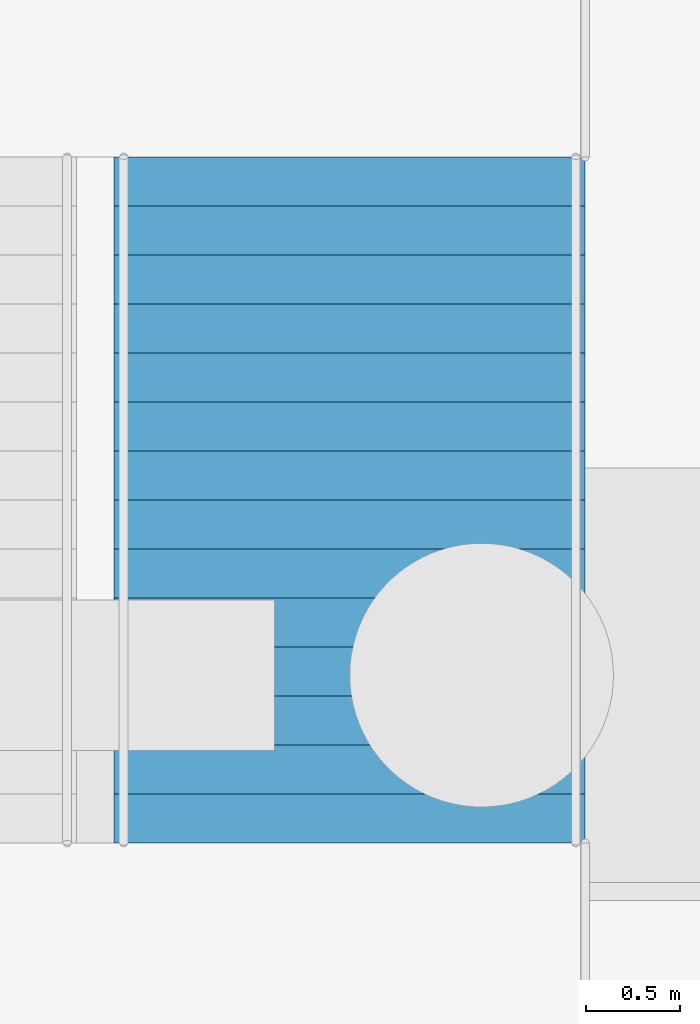
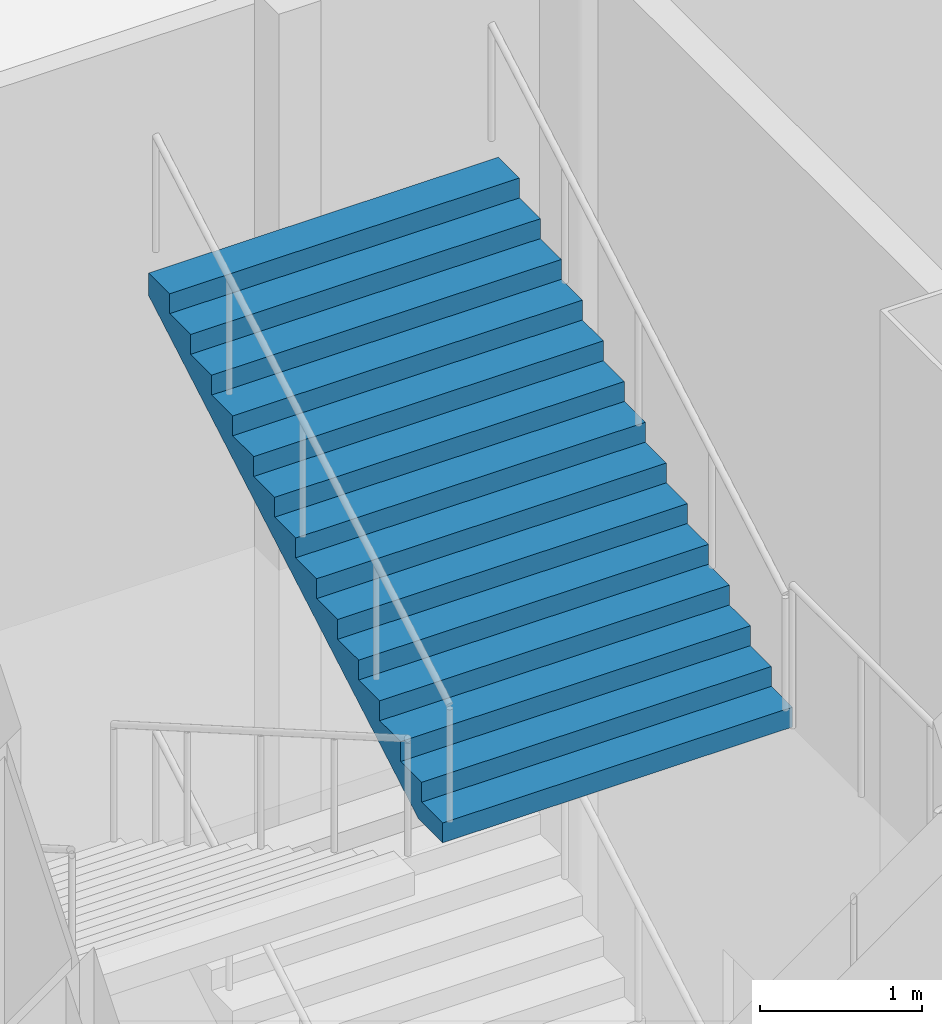
# One storey, part 67 of 113: 1 stair flight, 1 element without a shape of its own.
"""IFC4 building model written with IfcOpenShell, lengths in metres."""

import ifcopenshell
import ifcopenshell.guid

model = None  # the IFC model being written
_history = None  # IfcOwnerHistory: only IFC2X3 demands one
_inside = {}  # id of a spatial element -> (the spatial element, [elements in it])
_under = {}  # id of a project, library or spatial element -> (it, [spatial elements below it])
_declared = {}  # id of a project -> (the project, [libraries it declares])
_typed = {}  # id of a type object -> (the type object, [elements of that type])
_made_of = {}  # id of a material, layer set ... -> (it, [elements and type objects made of it])


def new_model(schema):
    """Start an empty IFC model of exactly this schema.

    Asked for "IFC4X3", IfcOpenShell would pick the latest addendum, in which some entities
    have other attributes; the version numbers below select the first issue.
    IFC2X3 requires an IfcOwnerHistory on every rooted entity: one is made here for all.
    """
    global model, _history
    if schema == "IFC4X3":
        model = ifcopenshell.file(schema_version=(4, 3, 0, 0))
    else:
        model = ifcopenshell.file(schema=schema)
    _inside.clear()
    _under.clear()
    _declared.clear()
    _typed.clear()
    _made_of.clear()
    _history = None
    if model.schema == "IFC2X3":
        org = make("IfcOrganization", Name="unknown")
        user = make(
            "IfcPersonAndOrganization",
            ThePerson=make("IfcPerson", FamilyName="unknown"),
            TheOrganization=org,
        )
        app = make(
            "IfcApplication",
            ApplicationDeveloper=org,
            Version="unknown",
            ApplicationFullName="unknown",
            ApplicationIdentifier="unknown",
        )
        _history = make(
            "IfcOwnerHistory",
            OwningUser=user,
            OwningApplication=app,
            ChangeAction="ADDED",
            CreationDate=0,
        )
    return model


def make(cls, **values):
    """One entity of the class cls with the attributes given. An attribute that is None is left unset."""
    return model.create_entity(
        cls, **{name: value for name, value in values.items() if value is not None}
    )


def rooted(cls, **values):
    """An entity with a GlobalId (a new one), such as an element, a storey or a relation."""
    return make(cls, GlobalId=ifcopenshell.guid.new(), OwnerHistory=_history, **values)


def si_unit(unit_type, name, prefix=None):
    """IfcSIUnit, for example si_unit("LENGTHUNIT", "METRE", prefix="MILLI")."""
    return make("IfcSIUnit", UnitType=unit_type, Prefix=prefix, Name=name)


def assignment(units):
    """IfcUnitAssignment: the units of a project."""
    return None if units is None else make("IfcUnitAssignment", Units=units)


def point(xyz):
    """IfcCartesianPoint."""
    return None if xyz is None else make("IfcCartesianPoint", Coordinates=xyz)


def direction(xyz):
    """IfcDirection."""
    return None if xyz is None else make("IfcDirection", DirectionRatios=xyz)


def frame(location, z_axis=None, x_axis=None):
    """IfcAxis2Placement3D, a coordinate frame: its origin and axes. An axis left out is left unset."""
    return make(
        "IfcAxis2Placement3D",
        Location=point(location),
        Axis=direction(z_axis),
        RefDirection=direction(x_axis),
    )


def origin():
    """The frame at (0, 0, 0) with its axes left unset."""
    return frame((0.0, 0.0, 0.0))


def place(relative_to, where):
    """IfcLocalPlacement: puts the frame where relative to a parent placement (None: the world)."""
    return make(
        "IfcLocalPlacement", PlacementRelTo=relative_to, RelativePlacement=where
    )


def context(
    kind, dimensions, precision=None, world=None, true_north=None, identifier=None
):
    """IfcGeometricRepresentationContext, for example the 3D "Model" context."""
    return make(
        "IfcGeometricRepresentationContext",
        ContextIdentifier=identifier,
        ContextType=kind,
        CoordinateSpaceDimension=dimensions,
        Precision=precision,
        WorldCoordinateSystem=world,
        TrueNorth=true_north,
    )


def subcontext(parent, identifier, kind, view, scale=None):
    """IfcGeometricRepresentationSubContext, for example "Body" below "Model"."""
    return make(
        "IfcGeometricRepresentationSubContext",
        ContextIdentifier=identifier,
        ContextType=kind,
        ParentContext=parent,
        TargetScale=scale,
        TargetView=view,
    )


def project(units=None, contexts=None):
    """IfcProject with its units and contexts."""
    return rooted(
        "IfcProject",
        Name="project",
        RepresentationContexts=contexts,
        UnitsInContext=assignment(units),
    )


def spatial(cls, under=None, at=None, **own):
    """A site, building, storey or space (cls), placed at a placement, below another one or the project."""
    s = rooted(cls, ObjectPlacement=at, **own)
    if under is not None:
        _under.setdefault(under.id(), (under, []))[1].append(s)
    return s


def point_list(points):
    """IfcCartesianPointList2D or 3D."""
    cls = (
        "IfcCartesianPointList2D" if len(points[0]) == 2 else "IfcCartesianPointList3D"
    )
    return make(cls, CoordList=points)


def triangles(points, corners, closed=None, point_numbers=None):
    """IfcTriangulatedFaceSet: each triangle names its three corners, points numbered from 1."""
    return make(
        "IfcTriangulatedFaceSet",
        Coordinates=point_list(points),
        Closed=closed,
        CoordIndex=corners,
        PnIndex=point_numbers,
    )


def shape(context_of_items, identifier, shape_type, items):
    """IfcShapeRepresentation: the items that make up one representation, for example the "Body"."""
    return make(
        "IfcShapeRepresentation",
        ContextOfItems=context_of_items,
        RepresentationIdentifier=identifier,
        RepresentationType=shape_type,
        Items=items,
    )


def material(Name=None, Category=None):
    """IfcMaterial."""
    return make("IfcMaterial", Name=Name, Category=Category)


def made_of(thing, what):
    """Note that an element or type object is made of a material, layer set ...; save() writes the relation."""
    if what is not None:
        _made_of.setdefault(what.id(), (what, []))[1].append(thing)
    return thing


def type_object(cls, material=None, **own):
    """A type object (cls), such as IfcWallType, which elements share."""
    return made_of(rooted(cls, **own), material)


def element(
    cls,
    number,
    at=None,
    inside=None,
    cuts=None,
    type_object=None,
    material=None,
    context=None,
    identifier="Body",
    shape_type=None,
    held_by="IfcProductDefinitionShape",
    body=None,
    shapes=None,
    **own,
):
    """One element of the class cls, such as IfcWall. Its Tag is "e" and its number.

    at: its placement. inside: the storey or other place that contains it. cuts: it is an
    opening in that element (IfcRelVoidsElement). A single representation is given by context,
    identifier, shape_type and body (its items); several are given by shapes. held_by: the class
    of the entity that holds the representations. save() writes the other relations.
    """
    e = rooted(cls, Tag="e%d" % number, ObjectPlacement=at, **own)
    if body is not None:
        shapes = [shape(context, identifier, shape_type, body)]
    if shapes is not None:
        e.Representation = make(held_by, Representations=shapes)
    if inside is not None:
        _inside.setdefault(inside.id(), (inside, []))[1].append(e)
    if cuts is not None:
        rooted(
            "IfcRelVoidsElement", RelatingBuildingElement=cuts, RelatedOpeningElement=e
        )
    if type_object is not None:
        _typed.setdefault(type_object.id(), (type_object, []))[1].append(e)
    return made_of(e, material)


def aggregate(whole, parts):
    """IfcRelAggregates: a whole, such as a stair, and the parts it consists of."""
    return rooted("IfcRelAggregates", RelatingObject=whole, RelatedObjects=parts)


def save(model, path):
    """Write the relations noted so far, then the file.

    IfcRelAggregates (storeys below a building ...), IfcRelContainedInSpatialStructure (elements
    in a storey), IfcRelDefinesByType, IfcRelAssociatesMaterial and IfcRelDeclares: one each for
    every whole, place, type object, material and project.
    """
    for whole, parts in _under.values():
        aggregate(whole, parts)
    for where, things in _inside.values():
        rooted(
            "IfcRelContainedInSpatialStructure",
            RelatedElements=things,
            RelatingStructure=where,
        )
    for kind, things in _typed.values():
        rooted("IfcRelDefinesByType", RelatedObjects=things, RelatingType=kind)
    for what, things in _made_of.values():
        rooted("IfcRelAssociatesMaterial", RelatedObjects=things, RelatingMaterial=what)
    for by, libraries in _declared.values():
        rooted("IfcRelDeclares", RelatingContext=by, RelatedDefinitions=libraries)
    model.write(path)


model = new_model("IFC4")

# Units and contexts
model_context = context("Model", 3, precision=1e-05, world=origin(), true_north=direction((0.0, 1.0)))
body_context = subcontext(model_context, "Body", "Model", "MODEL_VIEW")
ifc_project = project(units=[si_unit("LENGTHUNIT", "METRE"), si_unit("AREAUNIT", "SQUARE_METRE"), si_unit("VOLUMEUNIT", "CUBIC_METRE"), si_unit("PLANEANGLEUNIT", "RADIAN"), si_unit("MASSUNIT", "GRAM", prefix="KILO")], contexts=[model_context])

# Site, building, storey
site_placement = place(None, origin())
site = spatial("IfcSite", under=ifc_project, at=site_placement, CompositionType="ELEMENT")
building_placement = place(site_placement, origin())
building = spatial("IfcBuilding", under=site, at=building_placement, Name="Hakoniwa Tower and Hamabe Station Hall", CompositionType="ELEMENT")
storey_placement = place(building_placement, origin())
storey = spatial("IfcBuildingStorey", under=building, at=storey_placement, Name="L01", CompositionType="ELEMENT", Elevation=0.0)

# Stair, stair flight
ifc_material_1 = material(Name="Concrete C40", Category="concrete")
stair_type = type_object("IfcStairType", Name="STAIR 2500 15X150", PredefinedType="HALF_TURN_STAIR", material=ifc_material_1)
stair_placement = place(storey_placement, origin())
stair = element("IfcStair", 1, at=stair_placement, inside=storey, type_object=stair_type, Name="Escape stair PS1", PredefinedType="HALF_TURN_STAIR")
ifc_material_2 = material(Name="Concrete C40", Category="concrete")
stair_flight_type = type_object("IfcStairFlightType", Name="STAIR FLIGHT 2500", PredefinedType="STRAIGHT", material=ifc_material_2)
stair_flight_placement = place(storey_placement, frame((-45.10009765625, 18.7099609375, 6.75), z_axis=(0.0, 0.0, 1.0), x_axis=(0.0, 1.0, 0.0)))
stair_flight = element("IfcStairFlight", 2, at=stair_flight_placement, type_object=stair_flight_type, Name="PS1 flight 4", NumberOfRisers=15, NumberOfTreads=14, PredefinedType="STRAIGHT", RiserHeight=0.15, TreadLength=0.26, context=body_context, shape_type="Tessellation", body=[
    triangles([(0.0, 1.25, 0.0), (0.260009765625, 1.25, 0.0), (0.300048828125, 1.25, 0.0), (0.52001953125, 1.25, 0.126953125), (0.780029296875, 1.25, 0.27685546875), (1.0400390625, 1.25, 0.427001953125), (1.300048828125, 1.25, 0.576904296875), (1.56005859375, 1.25, 0.72705078125), (1.820068359375, 1.25, 0.876953125), (2.080078125, 1.25, 1.02685546875), (2.340087890625, 1.25, 1.177001953125), (2.60009765625, 1.25, 1.326904296875), (2.860107421875, 1.25, 1.47705078125), (3.1201171875, 1.25, 1.626953125), (3.3798828125, 1.25, 1.77685546875), (3.639892578125, 1.25, 1.927001953125), (3.639892578125, 1.25, 2.10009765625), (3.3798828125, 1.25, 2.10009765625), (3.3798828125, 1.25, 1.949951171875), (3.1201171875, 1.25, 1.949951171875), (3.1201171875, 1.25, 1.800048828125), (2.860107421875, 1.25, 1.800048828125), (2.860107421875, 1.25, 1.64990234375), (2.60009765625, 1.25, 1.64990234375), (2.60009765625, 1.25, 1.5), (2.340087890625, 1.25, 1.5), (2.340087890625, 1.25, 1.35009765625), (2.080078125, 1.25, 1.35009765625), (2.080078125, 1.25, 1.199951171875), (1.820068359375, 1.25, 1.199951171875), (1.820068359375, 1.25, 1.050048828125), (1.56005859375, 1.25, 1.050048828125), (1.56005859375, 1.25, 0.89990234375), (1.300048828125, 1.25, 0.89990234375), (1.300048828125, 1.25, 0.75), (1.0400390625, 1.25, 0.75), (1.0400390625, 1.25, 0.60009765625), (0.780029296875, 1.25, 0.60009765625), (0.780029296875, 1.25, 0.449951171875), (0.52001953125, 1.25, 0.449951171875), (0.52001953125, 1.25, 0.300048828125), (0.300048828125, 1.25, 0.300048828125), (0.260009765625, 1.25, 0.300048828125), (0.260009765625, 1.25, 0.14990234375), (0.0, 1.25, 0.14990234375), (0.0, 0.06005859375, 0.0), (0.260009765625, 0.06005859375, 0.0), (0.300048828125, 0.06005859375, 0.0), (0.52001953125, 0.06005859375, 0.126953125), (0.780029296875, 0.06005859375, 0.27685546875), (1.0400390625, 0.06005859375, 0.427001953125), (1.300048828125, 0.06005859375, 0.576904296875), (1.56005859375, 0.06005859375, 0.72705078125), (1.820068359375, 0.06005859375, 0.876953125), (2.080078125, 0.06005859375, 1.02685546875), (2.340087890625, 0.06005859375, 1.177001953125), (2.60009765625, 0.06005859375, 1.326904296875), (2.860107421875, 0.06005859375, 1.47705078125), (3.1201171875, 0.06005859375, 1.626953125), (3.3798828125, 0.06005859375, 1.77685546875), (3.639892578125, 0.06005859375, 1.927001953125), (3.639892578125, 0.06005859375, 2.10009765625), (3.3798828125, 0.06005859375, 2.10009765625), (3.3798828125, 0.06005859375, 1.949951171875), (3.1201171875, 0.06005859375, 1.949951171875), (3.1201171875, 0.06005859375, 1.800048828125), (2.860107421875, 0.06005859375, 1.800048828125), (2.860107421875, 0.06005859375, 1.64990234375), (2.60009765625, 0.06005859375, 1.64990234375), (2.60009765625, 0.06005859375, 1.5), (2.340087890625, 0.06005859375, 1.5), (2.340087890625, 0.06005859375, 1.35009765625), (2.080078125, 0.06005859375, 1.35009765625), (2.080078125, 0.06005859375, 1.199951171875), (1.820068359375, 0.06005859375, 1.199951171875), (1.820068359375, 0.06005859375, 1.050048828125), (1.56005859375, 0.06005859375, 1.050048828125), (1.56005859375, 0.06005859375, 0.89990234375), (1.300048828125, 0.06005859375, 0.89990234375), (1.300048828125, 0.06005859375, 0.75), (1.0400390625, 0.06005859375, 0.75), (1.0400390625, 0.06005859375, 0.60009765625), (0.780029296875, 0.06005859375, 0.60009765625), (0.780029296875, 0.06005859375, 0.449951171875), (0.52001953125, 0.06005859375, 0.449951171875), (0.52001953125, 0.06005859375, 0.300048828125), (0.300048828125, 0.06005859375, 0.300048828125), (0.260009765625, 0.06005859375, 0.300048828125), (0.260009765625, 0.06005859375, 0.14990234375), (0.0, 0.06005859375, 0.14990234375), (0.0, 0.02001953125, 0.0), (0.260009765625, 0.02001953125, 0.0), (0.300048828125, 0.02001953125, 0.0), (0.52001953125, 0.02001953125, 0.126953125), (0.780029296875, 0.02001953125, 0.27685546875), (1.0400390625, 0.02001953125, 0.427001953125), (1.300048828125, 0.02001953125, 0.576904296875), (1.56005859375, 0.02001953125, 0.72705078125), (1.820068359375, 0.02001953125, 0.876953125), (2.080078125, 0.02001953125, 1.02685546875), (2.340087890625, 0.02001953125, 1.177001953125), (2.60009765625, 0.02001953125, 1.326904296875), (2.860107421875, 0.02001953125, 1.47705078125), (3.1201171875, 0.02001953125, 1.626953125), (3.3798828125, 0.02001953125, 1.77685546875), (3.639892578125, 0.02001953125, 1.927001953125), (3.639892578125, 0.02001953125, 2.10009765625), (3.3798828125, 0.02001953125, 2.10009765625), (3.3798828125, 0.02001953125, 1.949951171875), (3.1201171875, 0.02001953125, 1.949951171875), (3.1201171875, 0.02001953125, 1.800048828125), (2.860107421875, 0.02001953125, 1.800048828125), (2.860107421875, 0.02001953125, 1.64990234375), (2.60009765625, 0.02001953125, 1.64990234375), (2.60009765625, 0.02001953125, 1.5), (2.340087890625, 0.02001953125, 1.5), (2.340087890625, 0.02001953125, 1.35009765625), (2.080078125, 0.02001953125, 1.35009765625), (2.080078125, 0.02001953125, 1.199951171875), (1.820068359375, 0.02001953125, 1.199951171875), (1.820068359375, 0.02001953125, 1.050048828125), (1.56005859375, 0.02001953125, 1.050048828125), (1.56005859375, 0.02001953125, 0.89990234375), (1.300048828125, 0.02001953125, 0.89990234375), (1.300048828125, 0.02001953125, 0.75), (1.0400390625, 0.02001953125, 0.75), (1.0400390625, 0.02001953125, 0.60009765625), (0.780029296875, 0.02001953125, 0.60009765625), (0.780029296875, 0.02001953125, 0.449951171875), (0.52001953125, 0.02001953125, 0.449951171875), (0.52001953125, 0.02001953125, 0.300048828125), (0.300048828125, 0.02001953125, 0.300048828125), (0.260009765625, 0.02001953125, 0.300048828125), (0.260009765625, 0.02001953125, 0.14990234375), (0.0, 0.02001953125, 0.14990234375), (0.0, -0.02001953125, 0.0), (0.260009765625, -0.02001953125, 0.0), (0.300048828125, -0.02001953125, 0.0), (0.52001953125, -0.02001953125, 0.126953125), (0.780029296875, -0.02001953125, 0.27685546875), (1.0400390625, -0.02001953125, 0.427001953125), (1.300048828125, -0.02001953125, 0.576904296875), (1.56005859375, -0.02001953125, 0.72705078125), (1.820068359375, -0.02001953125, 0.876953125), (2.080078125, -0.02001953125, 1.02685546875), (2.340087890625, -0.02001953125, 1.177001953125), (2.60009765625, -0.02001953125, 1.326904296875), (2.860107421875, -0.02001953125, 1.47705078125), (3.1201171875, -0.02001953125, 1.626953125), (3.3798828125, -0.02001953125, 1.77685546875), (3.639892578125, -0.02001953125, 1.927001953125), (3.639892578125, -0.02001953125, 2.10009765625), (3.3798828125, -0.02001953125, 2.10009765625), (3.3798828125, -0.02001953125, 1.949951171875), (3.1201171875, -0.02001953125, 1.949951171875), (3.1201171875, -0.02001953125, 1.800048828125), (2.860107421875, -0.02001953125, 1.800048828125), (2.860107421875, -0.02001953125, 1.64990234375), (2.60009765625, -0.02001953125, 1.64990234375), (2.60009765625, -0.02001953125, 1.5), (2.340087890625, -0.02001953125, 1.5), (2.340087890625, -0.02001953125, 1.35009765625), (2.080078125, -0.02001953125, 1.35009765625), (2.080078125, -0.02001953125, 1.199951171875), (1.820068359375, -0.02001953125, 1.199951171875), (1.820068359375, -0.02001953125, 1.050048828125), (1.56005859375, -0.02001953125, 1.050048828125), (1.56005859375, -0.02001953125, 0.89990234375), (1.300048828125, -0.02001953125, 0.89990234375), (1.300048828125, -0.02001953125, 0.75), (1.0400390625, -0.02001953125, 0.75), (1.0400390625, -0.02001953125, 0.60009765625), (0.780029296875, -0.02001953125, 0.60009765625), (0.780029296875, -0.02001953125, 0.449951171875), (0.52001953125, -0.02001953125, 0.449951171875), (0.52001953125, -0.02001953125, 0.300048828125), (0.300048828125, -0.02001953125, 0.300048828125), (0.260009765625, -0.02001953125, 0.300048828125), (0.260009765625, -0.02001953125, 0.14990234375), (0.0, -0.02001953125, 0.14990234375), (0.0, -0.06005859375, 0.0), (0.260009765625, -0.06005859375, 0.0), (0.300048828125, -0.06005859375, 0.0), (0.52001953125, -0.06005859375, 0.126953125), (0.780029296875, -0.06005859375, 0.27685546875), (1.0400390625, -0.06005859375, 0.427001953125), (1.300048828125, -0.06005859375, 0.576904296875), (1.56005859375, -0.06005859375, 0.72705078125), (1.820068359375, -0.06005859375, 0.876953125), (2.080078125, -0.06005859375, 1.02685546875), (2.340087890625, -0.06005859375, 1.177001953125), (2.60009765625, -0.06005859375, 1.326904296875), (2.860107421875, -0.06005859375, 1.47705078125), (3.1201171875, -0.06005859375, 1.626953125), (3.3798828125, -0.06005859375, 1.77685546875), (3.639892578125, -0.06005859375, 1.927001953125), (3.639892578125, -0.06005859375, 2.10009765625), (3.3798828125, -0.06005859375, 2.10009765625), (3.3798828125, -0.06005859375, 1.949951171875), (3.1201171875, -0.06005859375, 1.949951171875), (3.1201171875, -0.06005859375, 1.800048828125), (2.860107421875, -0.06005859375, 1.800048828125), (2.860107421875, -0.06005859375, 1.64990234375), (2.60009765625, -0.06005859375, 1.64990234375), (2.60009765625, -0.06005859375, 1.5), (2.340087890625, -0.06005859375, 1.5), (2.340087890625, -0.06005859375, 1.35009765625), (2.080078125, -0.06005859375, 1.35009765625), (2.080078125, -0.06005859375, 1.199951171875), (1.820068359375, -0.06005859375, 1.199951171875), (1.820068359375, -0.06005859375, 1.050048828125), (1.56005859375, -0.06005859375, 1.050048828125), (1.56005859375, -0.06005859375, 0.89990234375), (1.300048828125, -0.06005859375, 0.89990234375), (1.300048828125, -0.06005859375, 0.75), (1.0400390625, -0.06005859375, 0.75), (1.0400390625, -0.06005859375, 0.60009765625), (0.780029296875, -0.06005859375, 0.60009765625), (0.780029296875, -0.06005859375, 0.449951171875), (0.52001953125, -0.06005859375, 0.449951171875), (0.52001953125, -0.06005859375, 0.300048828125), (0.300048828125, -0.06005859375, 0.300048828125), (0.260009765625, -0.06005859375, 0.300048828125), (0.260009765625, -0.06005859375, 0.14990234375), (0.0, -0.06005859375, 0.14990234375), (0.0, -1.25, 0.0), (0.260009765625, -1.25, 0.0), (0.300048828125, -1.25, 0.0), (0.52001953125, -1.25, 0.126953125), (0.780029296875, -1.25, 0.27685546875), (1.0400390625, -1.25, 0.427001953125), (1.300048828125, -1.25, 0.576904296875), (1.56005859375, -1.25, 0.72705078125), (1.820068359375, -1.25, 0.876953125), (2.080078125, -1.25, 1.02685546875), (2.340087890625, -1.25, 1.177001953125), (2.60009765625, -1.25, 1.326904296875), (2.860107421875, -1.25, 1.47705078125), (3.1201171875, -1.25, 1.626953125), (3.3798828125, -1.25, 1.77685546875), (3.639892578125, -1.25, 1.927001953125), (3.639892578125, -1.25, 2.10009765625), (3.3798828125, -1.25, 2.10009765625), (3.3798828125, -1.25, 1.949951171875), (3.1201171875, -1.25, 1.949951171875), (3.1201171875, -1.25, 1.800048828125), (2.860107421875, -1.25, 1.800048828125), (2.860107421875, -1.25, 1.64990234375), (2.60009765625, -1.25, 1.64990234375), (2.60009765625, -1.25, 1.5), (2.340087890625, -1.25, 1.5), (2.340087890625, -1.25, 1.35009765625), (2.080078125, -1.25, 1.35009765625), (2.080078125, -1.25, 1.199951171875), (1.820068359375, -1.25, 1.199951171875), (1.820068359375, -1.25, 1.050048828125), (1.56005859375, -1.25, 1.050048828125), (1.56005859375, -1.25, 0.89990234375), (1.300048828125, -1.25, 0.89990234375), (1.300048828125, -1.25, 0.75), (1.0400390625, -1.25, 0.75), (1.0400390625, -1.25, 0.60009765625), (0.780029296875, -1.25, 0.60009765625), (0.780029296875, -1.25, 0.449951171875), (0.52001953125, -1.25, 0.449951171875), (0.52001953125, -1.25, 0.300048828125), (0.300048828125, -1.25, 0.300048828125), (0.260009765625, -1.25, 0.300048828125), (0.260009765625, -1.25, 0.14990234375), (0.0, -1.25, 0.14990234375)], [[2, 45, 44], [227, 269, 270], [2, 1, 45], [227, 270, 226], [3, 43, 42], [228, 267, 268], [3, 44, 43], [228, 268, 269], [3, 2, 44], [228, 269, 227], [4, 42, 41], [229, 266, 267], [4, 3, 42], [229, 267, 228], [5, 40, 39], [230, 264, 265], [5, 41, 40], [230, 265, 266], [5, 4, 41], [230, 266, 229], [6, 38, 37], [231, 262, 263], [6, 39, 38], [231, 263, 264], [6, 5, 39], [231, 264, 230], [7, 36, 35], [232, 260, 261], [7, 37, 36], [232, 261, 262], [7, 6, 37], [232, 262, 231], [8, 34, 33], [233, 258, 259], [8, 35, 34], [233, 259, 260], [8, 7, 35], [233, 260, 232], [9, 32, 31], [234, 256, 257], [9, 33, 32], [234, 257, 258], [9, 8, 33], [234, 258, 233], [10, 30, 29], [235, 254, 255], [10, 31, 30], [235, 255, 256], [10, 9, 31], [235, 256, 234], [11, 28, 27], [236, 252, 253], [11, 29, 28], [236, 253, 254], [11, 10, 29], [236, 254, 235], [12, 26, 25], [237, 250, 251], [12, 27, 26], [237, 251, 252], [12, 11, 27], [237, 252, 236], [13, 24, 23], [238, 248, 249], [13, 25, 24], [238, 249, 250], [13, 12, 25], [238, 250, 237], [14, 22, 21], [239, 246, 247], [14, 23, 22], [239, 247, 248], [14, 13, 23], [239, 248, 238], [15, 20, 19], [240, 244, 245], [15, 21, 20], [240, 245, 246], [15, 14, 21], [240, 246, 239], [16, 18, 17], [241, 242, 243], [16, 19, 18], [241, 243, 244], [16, 15, 19], [241, 244, 240], [1, 2, 47], [1, 47, 46], [46, 47, 92], [46, 92, 91], [91, 92, 137], [91, 137, 136], [136, 137, 182], [136, 182, 181], [181, 182, 227], [181, 227, 226], [2, 3, 48], [2, 48, 47], [47, 48, 93], [47, 93, 92], [92, 93, 138], [92, 138, 137], [137, 138, 183], [137, 183, 182], [182, 183, 228], [182, 228, 227], [3, 4, 49], [3, 49, 48], [48, 49, 94], [48, 94, 93], [93, 94, 139], [93, 139, 138], [138, 139, 184], [138, 184, 183], [183, 184, 229], [183, 229, 228], [4, 5, 50], [4, 50, 49], [49, 50, 95], [49, 95, 94], [94, 95, 140], [94, 140, 139], [139, 140, 185], [139, 185, 184], [184, 185, 230], [184, 230, 229], [5, 6, 51], [5, 51, 50], [50, 51, 96], [50, 96, 95], [95, 96, 141], [95, 141, 140], [140, 141, 186], [140, 186, 185], [185, 186, 231], [185, 231, 230], [6, 7, 52], [6, 52, 51], [51, 52, 97], [51, 97, 96], [96, 97, 142], [96, 142, 141], [141, 142, 187], [141, 187, 186], [186, 187, 232], [186, 232, 231], [7, 8, 53], [7, 53, 52], [52, 53, 98], [52, 98, 97], [97, 98, 143], [97, 143, 142], [142, 143, 188], [142, 188, 187], [187, 188, 233], [187, 233, 232], [8, 9, 54], [8, 54, 53], [53, 54, 99], [53, 99, 98], [98, 99, 144], [98, 144, 143], [143, 144, 189], [143, 189, 188], [188, 189, 234], [188, 234, 233], [9, 10, 55], [9, 55, 54], [54, 55, 100], [54, 100, 99], [99, 100, 145], [99, 145, 144], [144, 145, 190], [144, 190, 189], [189, 190, 235], [189, 235, 234], [10, 11, 56], [10, 56, 55], [55, 56, 101], [55, 101, 100], [100, 101, 146], [100, 146, 145], [145, 146, 191], [145, 191, 190], [190, 191, 236], [190, 236, 235], [11, 12, 57], [11, 57, 56], [56, 57, 102], [56, 102, 101], [101, 102, 147], [101, 147, 146], [146, 147, 192], [146, 192, 191], [191, 192, 237], [191, 237, 236], [12, 13, 58], [12, 58, 57], [57, 58, 103], [57, 103, 102], [102, 103, 148], [102, 148, 147], [147, 148, 193], [147, 193, 192], [192, 193, 238], [192, 238, 237], [13, 14, 59], [13, 59, 58], [58, 59, 104], [58, 104, 103], [103, 104, 149], [103, 149, 148], [148, 149, 194], [148, 194, 193], [193, 194, 239], [193, 239, 238], [14, 15, 60], [14, 60, 59], [59, 60, 105], [59, 105, 104], [104, 105, 150], [104, 150, 149], [149, 150, 195], [149, 195, 194], [194, 195, 240], [194, 240, 239], [15, 16, 61], [15, 61, 60], [60, 61, 106], [60, 106, 105], [105, 106, 151], [105, 151, 150], [150, 151, 196], [150, 196, 195], [195, 196, 241], [195, 241, 240], [16, 17, 62], [16, 62, 61], [61, 62, 107], [61, 107, 106], [106, 107, 152], [106, 152, 151], [151, 152, 197], [151, 197, 196], [196, 197, 242], [196, 242, 241], [17, 18, 63], [17, 63, 62], [62, 63, 108], [62, 108, 107], [107, 108, 153], [107, 153, 152], [152, 153, 198], [152, 198, 197], [197, 198, 243], [197, 243, 242], [18, 19, 64], [18, 64, 63], [63, 64, 109], [63, 109, 108], [108, 109, 154], [108, 154, 153], [153, 154, 199], [153, 199, 198], [198, 199, 244], [198, 244, 243], [19, 20, 65], [19, 65, 64], [64, 65, 110], [64, 110, 109], [109, 110, 155], [109, 155, 154], [154, 155, 200], [154, 200, 199], [199, 200, 245], [199, 245, 244], [20, 21, 66], [20, 66, 65], [65, 66, 111], [65, 111, 110], [110, 111, 156], [110, 156, 155], [155, 156, 201], [155, 201, 200], [200, 201, 246], [200, 246, 245], [21, 22, 67], [21, 67, 66], [66, 67, 112], [66, 112, 111], [111, 112, 157], [111, 157, 156], [156, 157, 202], [156, 202, 201], [201, 202, 247], [201, 247, 246], [22, 23, 68], [22, 68, 67], [67, 68, 113], [67, 113, 112], [112, 113, 158], [112, 158, 157], [157, 158, 203], [157, 203, 202], [202, 203, 248], [202, 248, 247], [23, 24, 69], [23, 69, 68], [68, 69, 114], [68, 114, 113], [113, 114, 159], [113, 159, 158], [158, 159, 204], [158, 204, 203], [203, 204, 249], [203, 249, 248], [24, 25, 70], [24, 70, 69], [69, 70, 115], [69, 115, 114], [114, 115, 160], [114, 160, 159], [159, 160, 205], [159, 205, 204], [204, 205, 250], [204, 250, 249], [25, 26, 71], [25, 71, 70], [70, 71, 116], [70, 116, 115], [115, 116, 161], [115, 161, 160], [160, 161, 206], [160, 206, 205], [205, 206, 251], [205, 251, 250], [26, 27, 72], [26, 72, 71], [71, 72, 117], [71, 117, 116], [116, 117, 162], [116, 162, 161], [161, 162, 207], [161, 207, 206], [206, 207, 252], [206, 252, 251], [27, 28, 73], [27, 73, 72], [72, 73, 118], [72, 118, 117], [117, 118, 163], [117, 163, 162], [162, 163, 208], [162, 208, 207], [207, 208, 253], [207, 253, 252], [28, 29, 74], [28, 74, 73], [73, 74, 119], [73, 119, 118], [118, 119, 164], [118, 164, 163], [163, 164, 209], [163, 209, 208], [208, 209, 254], [208, 254, 253], [29, 30, 75], [29, 75, 74], [74, 75, 120], [74, 120, 119], [119, 120, 165], [119, 165, 164], [164, 165, 210], [164, 210, 209], [209, 210, 255], [209, 255, 254], [30, 31, 76], [30, 76, 75], [75, 76, 121], [75, 121, 120], [120, 121, 166], [120, 166, 165], [165, 166, 211], [165, 211, 210], [210, 211, 256], [210, 256, 255], [31, 32, 77], [31, 77, 76], [76, 77, 122], [76, 122, 121], [121, 122, 167], [121, 167, 166], [166, 167, 212], [166, 212, 211], [211, 212, 257], [211, 257, 256], [32, 33, 78], [32, 78, 77], [77, 78, 123], [77, 123, 122], [122, 123, 168], [122, 168, 167], [167, 168, 213], [167, 213, 212], [212, 213, 258], [212, 258, 257], [33, 34, 79], [33, 79, 78], [78, 79, 124], [78, 124, 123], [123, 124, 169], [123, 169, 168], [168, 169, 214], [168, 214, 213], [213, 214, 259], [213, 259, 258], [34, 35, 80], [34, 80, 79], [79, 80, 125], [79, 125, 124], [124, 125, 170], [124, 170, 169], [169, 170, 215], [169, 215, 214], [214, 215, 260], [214, 260, 259], [35, 36, 81], [35, 81, 80], [80, 81, 126], [80, 126, 125], [125, 126, 171], [125, 171, 170], [170, 171, 216], [170, 216, 215], [215, 216, 261], [215, 261, 260], [36, 37, 82], [36, 82, 81], [81, 82, 127], [81, 127, 126], [126, 127, 172], [126, 172, 171], [171, 172, 217], [171, 217, 216], [216, 217, 262], [216, 262, 261], [37, 38, 83], [37, 83, 82], [82, 83, 128], [82, 128, 127], [127, 128, 173], [127, 173, 172], [172, 173, 218], [172, 218, 217], [217, 218, 263], [217, 263, 262], [38, 39, 84], [38, 84, 83], [83, 84, 129], [83, 129, 128], [128, 129, 174], [128, 174, 173], [173, 174, 219], [173, 219, 218], [218, 219, 264], [218, 264, 263], [39, 40, 85], [39, 85, 84], [84, 85, 130], [84, 130, 129], [129, 130, 175], [129, 175, 174], [174, 175, 220], [174, 220, 219], [219, 220, 265], [219, 265, 264], [40, 41, 86], [40, 86, 85], [85, 86, 131], [85, 131, 130], [130, 131, 176], [130, 176, 175], [175, 176, 221], [175, 221, 220], [220, 221, 266], [220, 266, 265], [41, 42, 87], [41, 87, 86], [86, 87, 132], [86, 132, 131], [131, 132, 177], [131, 177, 176], [176, 177, 222], [176, 222, 221], [221, 222, 267], [221, 267, 266], [42, 43, 88], [42, 88, 87], [87, 88, 133], [87, 133, 132], [132, 133, 178], [132, 178, 177], [177, 178, 223], [177, 223, 222], [222, 223, 268], [222, 268, 267], [43, 44, 89], [43, 89, 88], [88, 89, 134], [88, 134, 133], [133, 134, 179], [133, 179, 178], [178, 179, 224], [178, 224, 223], [223, 224, 269], [223, 269, 268], [44, 45, 90], [44, 90, 89], [89, 90, 135], [89, 135, 134], [134, 135, 180], [134, 180, 179], [179, 180, 225], [179, 225, 224], [224, 225, 270], [224, 270, 269], [45, 1, 46], [45, 46, 90], [90, 46, 91], [90, 91, 135], [135, 91, 136], [135, 136, 180], [180, 136, 181], [180, 181, 225], [225, 181, 226], [225, 226, 270]], closed=True),
])
aggregate(stair, [stair_flight])

save(model, "model.ifc")
